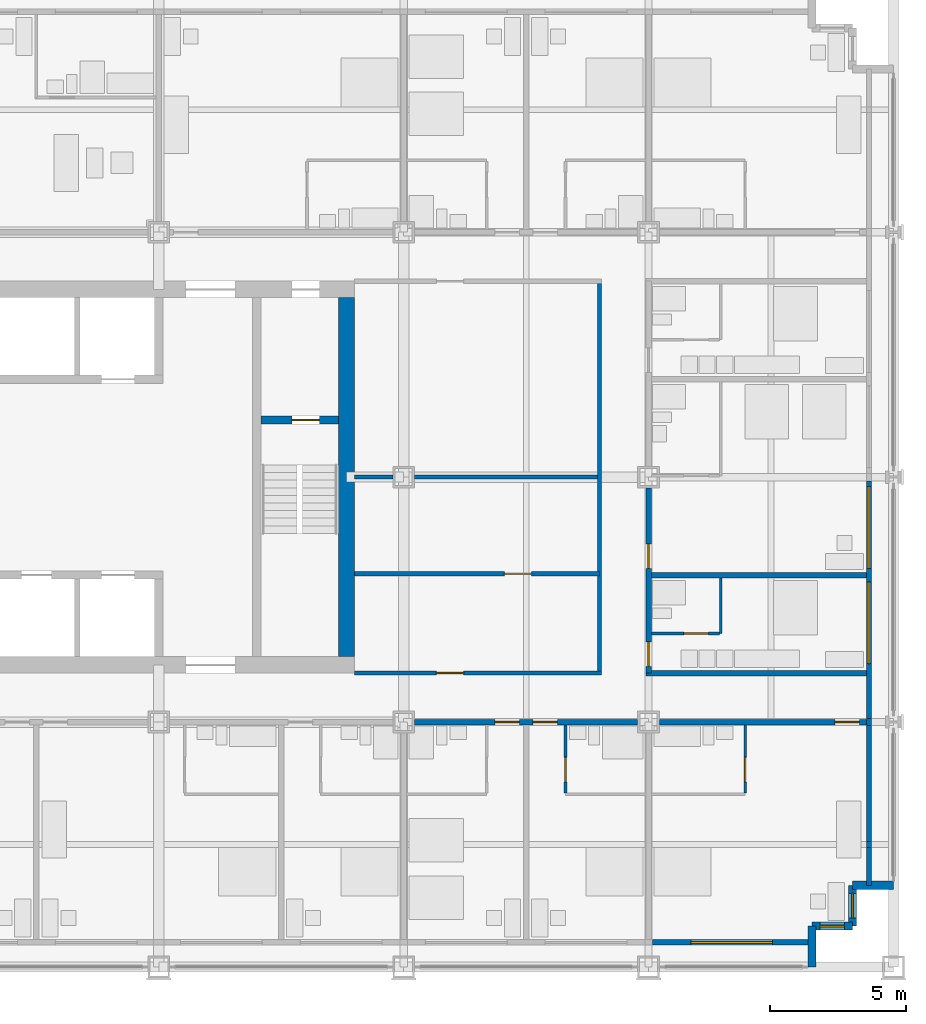
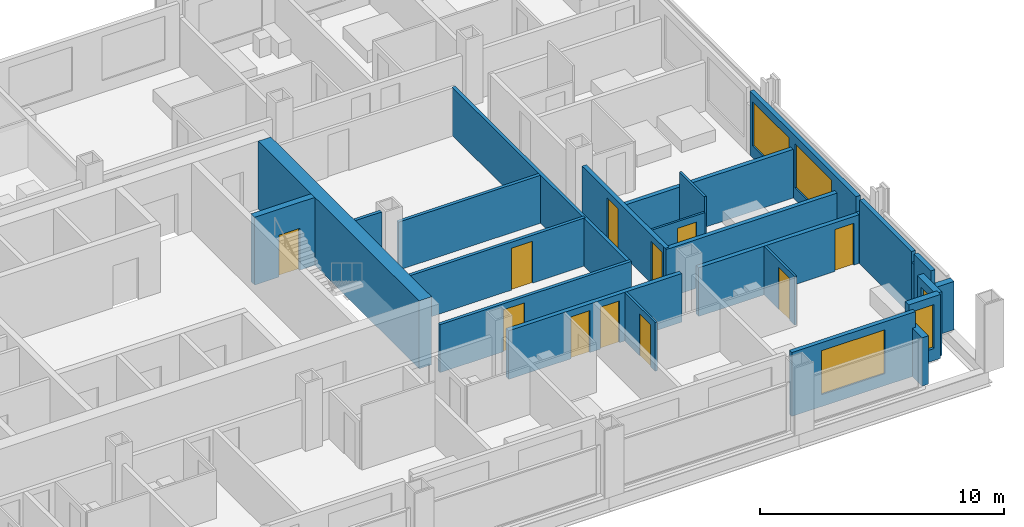
# One storey, part 13 of 18: 26 walls, 11 doors, 5 windows, 16 openings.
"""IFC4 building model written with IfcOpenShell, lengths in metres."""

from ifc_helpers import new_model, si_unit, direction, frame, frame_2d, origin, place, context, subcontext, project, spatial, rectangle, extrude, material, layer, layer_set, type_object, element, fill, save


model = new_model("IFC4")

# Units and contexts
model_context = context("Model", 3, precision=1e-05, world=origin(), true_north=direction((0.0, 1.0)))
body_context = subcontext(model_context, "Body", "Model", "MODEL_VIEW")
ifc_project = project(units=[si_unit("LENGTHUNIT", "METRE"), si_unit("AREAUNIT", "SQUARE_METRE"), si_unit("VOLUMEUNIT", "CUBIC_METRE"), si_unit("PLANEANGLEUNIT", "RADIAN"), si_unit("MASSUNIT", "GRAM", prefix="KILO")], contexts=[model_context])

# Site, building, storey
site_placement = place(None, origin())
site = spatial("IfcSite", under=ifc_project, at=site_placement, CompositionType="ELEMENT")
building_placement = place(site_placement, origin())
building = spatial("IfcBuilding", under=site, at=building_placement, Name="Loomwork Tower", CompositionType="ELEMENT")
storey_placement = place(building_placement, frame((0.0, 0.0, 82.39990234375)))
storey = spatial("IfcBuildingStorey", under=building, at=storey_placement, Name="L21", CompositionType="ELEMENT", Elevation=82.39990234375)

# Wall, opening, door
ifc_material_1 = material(Name="Concrete 14000 psi (97 MPa)", Category="concrete")
ifc_layer_1 = layer(ifc_material_1, 0.300048828125)
ifc_layer_set_1 = layer_set([ifc_layer_1], Name="Core shear wall 300")
wall_type_1 = type_object("IfcWallType", Name="Core shear wall 300", PredefinedType="SHEAR", material=ifc_layer_set_1)
wall_1_placement = place(storey_placement, frame((30.75, 20.10009765625, 0.0), z_axis=(0.0, 0.0, 1.0), x_axis=(1.0, 0.0, 0.0)))
wall_1 = element("IfcWall", 1, at=wall_1_placement, inside=storey, type_object=wall_type_1, Name="Stair B north wall L21", PredefinedType="SHEAR", context=body_context, shape_type="SweptSolid", body=[
    extrude(rectangle(XDim=2.85009765625, YDim=0.300048828125, at=frame_2d((1.425048828125, 0.0))), origin(), (0.0, 0.0, 1.0), 3.400146484375),
])
opening_1_placement = place(wall_1_placement, frame((1.14990234375, 0.0, 0.0)))
opening_1 = element("IfcOpeningElement", 2, at=opening_1_placement, cuts=wall_1, Name="Opening D4", PredefinedType="OPENING", context=body_context, shape_type="SweptSolid", body=[
    extrude(rectangle(XDim=1.0, YDim=2.10009765625, at=frame_2d((0.5, 1.050048828125))), frame((0.0, 0.159912109375, 0.0), z_axis=(0.0, -1.0, 0.0), x_axis=(1.0, 0.0, 0.0)), (0.0, 0.0, 1.0), 0.320068359375),
])
ifc_material_2 = material(Name="Hollow metal door and frame")
door_type_1 = type_object("IfcDoorType", Name="Stair door 1000", OperationType="SINGLE_SWING_RIGHT", PredefinedType="DOOR", material=ifc_material_2)
door_1_placement = place(opening_1_placement, frame((1.0, 0.0, 0.0), z_axis=(0.0, 0.0, 1.0), x_axis=(-1.0, 0.0, 0.0)))
door_1 = element("IfcDoor", 3, at=door_1_placement, inside=storey, type_object=door_type_1, Name="Stair B door", OperationType="SINGLE_SWING_LEFT", OverallHeight=2.10009765625, OverallWidth=1.0, PredefinedType="DOOR", context=body_context, shape_type="SweptSolid", body=[
    extrude(rectangle(XDim=1.0, YDim=2.10009765625, at=frame_2d((0.5, 1.050048828125))), frame((0.0, 0.02490234375, 0.0), z_axis=(0.0, -1.0, 0.0), x_axis=(1.0, 0.0, 0.0)), (0.0, 0.0, 1.0), 0.050048828125),
])
fill(opening_1, door_1)

# Wall
ifc_material_3 = material(Name="Concrete 14000 psi (97 MPa)", Category="concrete")
ifc_layer_2 = layer(ifc_material_3, 0.60009765625)
ifc_layer_set_2 = layer_set([ifc_layer_2], Name="Core shear wall 600")
wall_type_2 = type_object("IfcWallType", Name="Core shear wall 600", PredefinedType="SHEAR", material=ifc_layer_set_2)
wall_2_placement = place(storey_placement, frame((33.89990234375, 11.39990234375, 0.0), z_axis=(0.0, 0.0, 1.0), x_axis=(0.0, 1.0, 0.0)))
element("IfcWall", 4, at=wall_2_placement, inside=storey, type_object=wall_type_2, Name="Core wall east L21", PredefinedType="SHEAR", context=body_context, shape_type="SweptSolid", body=[
    extrude(rectangle(XDim=13.2001953125, YDim=0.60009765625, at=frame_2d((6.60009765625, 0.0))), origin(), (0.0, 0.0, 1.0), 3.400146484375),
])

# Wall, openings, doors
ifc_material_4 = material(Name="Gypsum board on steel studs, one-hour", Category="steel")
ifc_layer_3 = layer(ifc_material_4, 0.199951171875)
ifc_layer_set_3 = layer_set([ifc_layer_3], Name="Corridor wall 200")
wall_type_3 = type_object("IfcWallType", Name="Corridor wall 200", PredefinedType="PARTITIONING", material=ifc_layer_set_3)
wall_3_placement = place(storey_placement, frame((36.39990234375, 9.0, 0.0), z_axis=(0.0, 0.0, 1.0), x_axis=(1.0, 0.0, 0.0)))
wall_3 = element("IfcWall", 5, at=wall_3_placement, inside=storey, type_object=wall_type_3, Name="South corridor wall 5", PredefinedType="PARTITIONING", context=body_context, shape_type="SweptSolid", body=[
    extrude(rectangle(XDim=8.2001953125, YDim=0.199951171875, at=frame_2d((4.10009765625, 0.0))), origin(), (0.0, 0.0, 1.0), 2.43798828125),
])
opening_2_placement = place(wall_3_placement, frame((2.949951171875, 0.0, 0.0)))
opening_2 = element("IfcOpeningElement", 6, at=opening_2_placement, cuts=wall_3, Name="Opening D1", PredefinedType="OPENING", context=body_context, shape_type="SweptSolid", body=[
    extrude(rectangle(XDim=0.89990234375, YDim=2.10009765625, at=frame_2d((0.449951171875, 1.050048828125))), frame((0.0, 0.10986328125, 0.0), z_axis=(0.0, -1.0, 0.0), x_axis=(1.0, 0.0, 0.0)), (0.0, 0.0, 1.0), 0.219970703125),
])
opening_3_placement = place(wall_3_placement, frame((4.35009765625, 0.0, 0.0)))
opening_3 = element("IfcOpeningElement", 7, at=opening_3_placement, cuts=wall_3, Name="Opening D1", PredefinedType="OPENING", context=body_context, shape_type="SweptSolid", body=[
    extrude(rectangle(XDim=0.89990234375, YDim=2.10009765625, at=frame_2d((0.449951171875, 1.050048828125))), frame((0.0, 0.10986328125, 0.0), z_axis=(0.0, -1.0, 0.0), x_axis=(1.0, 0.0, 0.0)), (0.0, 0.0, 1.0), 0.219970703125),
])
ifc_material_5 = material(Name="Hollow metal door and frame")
door_type_2 = type_object("IfcDoorType", Name="Guest room entry door 900", OperationType="SINGLE_SWING_LEFT", PredefinedType="DOOR", material=ifc_material_5)
door_2_placement = place(opening_2_placement, frame((0.89990234375, 0.0, 0.0), z_axis=(0.0, 0.0, 1.0), x_axis=(-1.0, 0.0, 0.0)))
door_2 = element("IfcDoor", 8, at=door_2_placement, inside=storey, type_object=door_type_2, Name="Guest room entry door L21 7", OperationType="SINGLE_SWING_LEFT", OverallHeight=2.10009765625, OverallWidth=0.89990234375, PredefinedType="DOOR", context=body_context, shape_type="SweptSolid", body=[
    extrude(rectangle(XDim=0.89990234375, YDim=2.10009765625, at=frame_2d((0.449951171875, 1.050048828125))), frame((0.0, 0.02490234375, 0.0), z_axis=(0.0, -1.0, 0.0), x_axis=(1.0, 0.0, 0.0)), (0.0, 0.0, 1.0), 0.050048828125),
])
fill(opening_2, door_2)
door_3_placement = place(opening_3_placement, frame((0.89990234375, 0.0, 0.0), z_axis=(0.0, 0.0, 1.0), x_axis=(-1.0, 0.0, 0.0)))
door_3 = element("IfcDoor", 9, at=door_3_placement, inside=storey, type_object=door_type_2, Name="Guest room entry door L21 8", OperationType="SINGLE_SWING_RIGHT", OverallHeight=2.10009765625, OverallWidth=0.89990234375, PredefinedType="DOOR", context=body_context, shape_type="SweptSolid", body=[
    extrude(rectangle(XDim=0.89990234375, YDim=2.10009765625, at=frame_2d((0.449951171875, 1.050048828125))), frame((0.0, 0.02490234375, 0.0), z_axis=(0.0, -1.0, 0.0), x_axis=(1.0, 0.0, 0.0)), (0.0, 0.0, 1.0), 0.050048828125),
])
fill(opening_3, door_3)

# Wall, opening, door
wall_4_placement = place(storey_placement, frame((45.39990234375, 9.0, 0.0), z_axis=(0.0, 0.0, 1.0), x_axis=(1.0, 0.0, 0.0)))
wall_4 = element("IfcWall", 10, at=wall_4_placement, inside=storey, type_object=wall_type_3, Name="South corridor wall 6", PredefinedType="PARTITIONING", context=body_context, shape_type="SweptSolid", body=[
    extrude(rectangle(XDim=7.60009765625, YDim=0.199951171875, at=frame_2d((3.800048828125, 0.0))), origin(), (0.0, 0.0, 1.0), 2.43798828125),
])
opening_4_placement = place(wall_4_placement, frame((6.449951171875, 0.0, 0.0)))
opening_4 = element("IfcOpeningElement", 11, at=opening_4_placement, cuts=wall_4, Name="Opening D1", PredefinedType="OPENING", context=body_context, shape_type="SweptSolid", body=[
    extrude(rectangle(XDim=0.89990234375, YDim=2.10009765625, at=frame_2d((0.449951171875, 1.050048828125))), frame((0.0, 0.10986328125, 0.0), z_axis=(0.0, -1.0, 0.0), x_axis=(1.0, 0.0, 0.0)), (0.0, 0.0, 1.0), 0.219970703125),
])
door_4_placement = place(opening_4_placement, frame((0.89990234375, 0.0, 0.0), z_axis=(0.0, 0.0, 1.0), x_axis=(-1.0, 0.0, 0.0)))
door_4 = element("IfcDoor", 12, at=door_4_placement, inside=storey, type_object=door_type_2, Name="Guest room entry door L21 9", OperationType="SINGLE_SWING_LEFT", OverallHeight=2.10009765625, OverallWidth=0.89990234375, PredefinedType="DOOR", context=body_context, shape_type="SweptSolid", body=[
    extrude(rectangle(XDim=0.89990234375, YDim=2.10009765625, at=frame_2d((0.449951171875, 1.050048828125))), frame((0.0, 0.02490234375, 0.0), z_axis=(0.0, -1.0, 0.0), x_axis=(1.0, 0.0, 0.0)), (0.0, 0.0, 1.0), 0.050048828125),
])
fill(opening_4, door_4)

# Wall, openings, doors
wall_5_placement = place(storey_placement, frame((45.0, 10.800048828125, 0.0), z_axis=(0.0, 0.0, 1.0), x_axis=(0.0, 1.0, 0.0)))
wall_5 = element("IfcWall", 13, at=wall_5_placement, inside=storey, type_object=wall_type_3, Name="East corridor wall 1", PredefinedType="PARTITIONING", context=body_context, shape_type="SweptSolid", body=[
    extrude(rectangle(XDim=6.800048828125, YDim=0.199951171875, at=frame_2d((3.39990234375, 0.0))), origin(), (0.0, 0.0, 1.0), 2.43798828125),
])
opening_5_placement = place(wall_5_placement, frame((0.25, 0.0, 0.0)))
opening_5 = element("IfcOpeningElement", 14, at=opening_5_placement, cuts=wall_5, Name="Opening D1", PredefinedType="OPENING", context=body_context, shape_type="SweptSolid", body=[
    extrude(rectangle(XDim=0.89990234375, YDim=2.10009765625, at=frame_2d((0.449951171875, 1.050048828125))), frame((0.0, 0.10986328125, 0.0), z_axis=(0.0, -1.0, 0.0), x_axis=(1.0, 0.0, 0.0)), (0.0, 0.0, 1.0), 0.219970703125),
])
opening_6_placement = place(wall_5_placement, frame((3.85009765625, 0.0, 0.0)))
opening_6 = element("IfcOpeningElement", 15, at=opening_6_placement, cuts=wall_5, Name="Opening D1", PredefinedType="OPENING", context=body_context, shape_type="SweptSolid", body=[
    extrude(rectangle(XDim=0.89990234375, YDim=2.10009765625, at=frame_2d((0.449951171875, 1.050048828125))), frame((0.0, 0.10986328125, 0.0), z_axis=(0.0, -1.0, 0.0), x_axis=(1.0, 0.0, 0.0)), (0.0, 0.0, 1.0), 0.219970703125),
])
door_5_placement = place(opening_5_placement, frame((0.89990234375, 0.0, 0.0), z_axis=(0.0, 0.0, 1.0), x_axis=(-1.0, 0.0, 0.0)))
door_5 = element("IfcDoor", 16, at=door_5_placement, inside=storey, type_object=door_type_2, Name="Guest room entry door L21 21", OperationType="SINGLE_SWING_RIGHT", OverallHeight=2.10009765625, OverallWidth=0.89990234375, PredefinedType="DOOR", context=body_context, shape_type="SweptSolid", body=[
    extrude(rectangle(XDim=0.89990234375, YDim=2.10009765625, at=frame_2d((0.449951171875, 1.050048828125))), frame((0.0, 0.02490234375, 0.0), z_axis=(0.0, -1.0, 0.0), x_axis=(1.0, 0.0, 0.0)), (0.0, 0.0, 1.0), 0.050048828125),
])
fill(opening_5, door_5)
door_6_placement = place(opening_6_placement, frame((0.89990234375, 0.0, 0.0), z_axis=(0.0, 0.0, 1.0), x_axis=(-1.0, 0.0, 0.0)))
door_6 = element("IfcDoor", 17, at=door_6_placement, inside=storey, type_object=door_type_2, Name="Guest room entry door L21 22", OperationType="SINGLE_SWING_RIGHT", OverallHeight=2.10009765625, OverallWidth=0.89990234375, PredefinedType="DOOR", context=body_context, shape_type="SweptSolid", body=[
    extrude(rectangle(XDim=0.89990234375, YDim=2.10009765625, at=frame_2d((0.449951171875, 1.050048828125))), frame((0.0, 0.02490234375, 0.0), z_axis=(0.0, -1.0, 0.0), x_axis=(1.0, 0.0, 0.0)), (0.0, 0.0, 1.0), 0.050048828125),
])
fill(opening_6, door_6)

# Wall
wall_6_placement = place(storey_placement, frame((44.89990234375, 10.800048828125, 0.0), z_axis=(0.0, 0.0, 1.0), x_axis=(1.0, 0.0, 0.0)))
element("IfcWall", 18, at=wall_6_placement, inside=storey, type_object=wall_type_3, Name="East band end wall S", PredefinedType="PARTITIONING", context=body_context, shape_type="SweptSolid", body=[
    extrude(rectangle(XDim=8.10009765625, YDim=0.199951171875, at=frame_2d((4.050048828125, 0.0))), origin(), (0.0, 0.0, 1.0), 2.43798828125),
])

# Wall, opening, door
ifc_material_6 = material(Name="Cement board on steel studs", Category="steel")
ifc_layer_4 = layer(ifc_material_6, 0.10009765625)
ifc_layer_set_4 = layer_set([ifc_layer_4], Name="En-suite partition 100")
wall_type_4 = type_object("IfcWallType", Name="En-suite partition 100", PredefinedType="PARTITIONING", material=ifc_layer_set_4)
wall_7_placement = place(storey_placement, frame((41.949951171875, 8.89990234375, 0.0), z_axis=(0.0, 0.0, 1.0), x_axis=(0.0, -1.0, 0.0)))
wall_7 = element("IfcWall", 19, at=wall_7_placement, inside=storey, type_object=wall_type_4, Name="En-suite side wall L21 room 8", PredefinedType="PARTITIONING", context=body_context, shape_type="SweptSolid", body=[
    extrude(rectangle(XDim=2.5, YDim=0.10009765625, at=frame_2d((1.25, 0.0))), origin(), (0.0, 0.0, 1.0), 2.43798828125),
])
opening_7_placement = place(wall_7_placement, frame((1.199951171875, 0.0, 0.0)))
opening_7 = element("IfcOpeningElement", 20, at=opening_7_placement, cuts=wall_7, Name="Opening D3", PredefinedType="OPENING", context=body_context, shape_type="SweptSolid", body=[
    extrude(rectangle(XDim=0.89990234375, YDim=2.10009765625, at=frame_2d((0.449951171875, 1.050048828125))), frame((0.0, 0.06005859375, 0.0), z_axis=(0.0, -1.0, 0.0), x_axis=(1.0, 0.0, 0.0)), (0.0, 0.0, 1.0), 0.1201171875),
])
ifc_material_7 = material(Name="Hollow metal door and frame")
door_type_3 = type_object("IfcDoorType", Name="Accessible en-suite door 900", OperationType="SLIDING_TO_LEFT", PredefinedType="DOOR", material=ifc_material_7)
door_7_placement = place(opening_7_placement, origin())
door_7 = element("IfcDoor", 21, at=door_7_placement, inside=storey, type_object=door_type_3, Name="Accessible en-suite door room 8", OperationType="SLIDING_TO_LEFT", OverallHeight=2.10009765625, OverallWidth=0.89990234375, PredefinedType="DOOR", context=body_context, shape_type="SweptSolid", body=[
    extrude(rectangle(XDim=0.89990234375, YDim=2.10009765625, at=frame_2d((0.449951171875, 1.050048828125))), frame((0.0, 0.02490234375, 0.0), z_axis=(0.0, -1.0, 0.0), x_axis=(1.0, 0.0, 0.0)), (0.0, 0.0, 1.0), 0.050048828125),
])
fill(opening_7, door_7)

wall_8_placement = place(storey_placement, frame((48.550048828125, 8.89990234375, 0.0), z_axis=(0.0, 0.0, 1.0), x_axis=(0.0, -1.0, 0.0)))
wall_8 = element("IfcWall", 22, at=wall_8_placement, inside=storey, type_object=wall_type_4, Name="En-suite side wall L21 room 9", PredefinedType="PARTITIONING", context=body_context, shape_type="SweptSolid", body=[
    extrude(rectangle(XDim=2.5, YDim=0.10009765625, at=frame_2d((1.25, 0.0))), origin(), (0.0, 0.0, 1.0), 2.43798828125),
])
opening_8_placement = place(wall_8_placement, frame((1.199951171875, 0.0, 0.0)))
opening_8 = element("IfcOpeningElement", 23, at=opening_8_placement, cuts=wall_8, Name="Opening D2", PredefinedType="OPENING", context=body_context, shape_type="SweptSolid", body=[
    extrude(rectangle(XDim=0.89990234375, YDim=2.10009765625, at=frame_2d((0.449951171875, 1.050048828125))), frame((0.0, 0.06005859375, 0.0), z_axis=(0.0, -1.0, 0.0), x_axis=(1.0, 0.0, 0.0)), (0.0, 0.0, 1.0), 0.1201171875),
])
ifc_material_8 = material(Name="Hollow metal door and frame")
door_type_4 = type_object("IfcDoorType", Name="En-suite door 900", OperationType="SINGLE_SWING_LEFT", PredefinedType="DOOR", material=ifc_material_8)
door_8_placement = place(opening_8_placement, frame((0.89990234375, 0.0, 0.0), z_axis=(0.0, 0.0, 1.0), x_axis=(-1.0, 0.0, 0.0)))
door_8 = element("IfcDoor", 24, at=door_8_placement, inside=storey, type_object=door_type_4, Name="En-suite door room 9", OperationType="SINGLE_SWING_LEFT", OverallHeight=2.10009765625, OverallWidth=0.89990234375, PredefinedType="DOOR", context=body_context, shape_type="SweptSolid", body=[
    extrude(rectangle(XDim=0.89990234375, YDim=2.10009765625, at=frame_2d((0.449951171875, 1.050048828125))), frame((0.0, 0.02490234375, 0.0), z_axis=(0.0, -1.0, 0.0), x_axis=(1.0, 0.0, 0.0)), (0.0, 0.0, 1.0), 0.050048828125),
])
fill(opening_8, door_8)

# Wall
wall_9_placement = place(storey_placement, frame((47.64990234375, 12.25, 0.0), z_axis=(0.0, 0.0, 1.0), x_axis=(0.0, 1.0, 0.0)))
element("IfcWall", 25, at=wall_9_placement, inside=storey, type_object=wall_type_4, Name="En-suite wall L21 room 21", PredefinedType="PARTITIONING", context=body_context, shape_type="SweptSolid", body=[
    extrude(rectangle(XDim=2.050048828125, YDim=0.10009765625, at=frame_2d((1.02490234375, 0.0))), origin(), (0.0, 0.0, 1.0), 3.2001953125),
])

# Wall, opening, door
wall_10_placement = place(storey_placement, frame((45.10009765625, 12.25, 0.0), z_axis=(0.0, 0.0, 1.0), x_axis=(1.0, 0.0, 0.0)))
wall_10 = element("IfcWall", 26, at=wall_10_placement, inside=storey, type_object=wall_type_4, Name="En-suite side wall L21 room 21", PredefinedType="PARTITIONING", context=body_context, shape_type="SweptSolid", body=[
    extrude(rectangle(XDim=2.5, YDim=0.10009765625, at=frame_2d((1.25, 0.0))), origin(), (0.0, 0.0, 1.0), 2.43798828125),
])
opening_9_placement = place(wall_10_placement, frame((1.199951171875, 0.0, 0.0)))
opening_9 = element("IfcOpeningElement", 27, at=opening_9_placement, cuts=wall_10, Name="Opening D2", PredefinedType="OPENING", context=body_context, shape_type="SweptSolid", body=[
    extrude(rectangle(XDim=0.89990234375, YDim=2.10009765625, at=frame_2d((0.449951171875, 1.050048828125))), frame((0.0, 0.06005859375, 0.0), z_axis=(0.0, -1.0, 0.0), x_axis=(1.0, 0.0, 0.0)), (0.0, 0.0, 1.0), 0.1201171875),
])
door_9_placement = place(opening_9_placement, origin())
door_9 = element("IfcDoor", 28, at=door_9_placement, inside=storey, type_object=door_type_4, Name="En-suite door room 21", OperationType="SINGLE_SWING_RIGHT", OverallHeight=2.10009765625, OverallWidth=0.89990234375, PredefinedType="DOOR", context=body_context, shape_type="SweptSolid", body=[
    extrude(rectangle(XDim=0.89990234375, YDim=2.10009765625, at=frame_2d((0.449951171875, 1.050048828125))), frame((0.0, 0.02490234375, 0.0), z_axis=(0.0, -1.0, 0.0), x_axis=(1.0, 0.0, 0.0)), (0.0, 0.0, 1.0), 0.050048828125),
])
fill(opening_9, door_9)

# Walls
ifc_material_9 = material(Name="Gypsum board on steel studs, acoustic", Category="steel")
ifc_layer_5 = layer(ifc_material_9, 0.199951171875)
ifc_layer_set_5 = layer_set([ifc_layer_5], Name="Guest room party wall 200")
wall_type_5 = type_object("IfcWallType", Name="Guest room party wall 200", PredefinedType="PARTITIONING", material=ifc_layer_set_5)
wall_11_placement = place(storey_placement, frame((45.10009765625, 14.39990234375, 0.0), z_axis=(0.0, 0.0, 1.0), x_axis=(1.0, 0.0, 0.0)))
element("IfcWall", 29, at=wall_11_placement, inside=storey, type_object=wall_type_5, Name="Guest room party wall E 14.4", PredefinedType="PARTITIONING", context=body_context, shape_type="SweptSolid", body=[
    extrude(rectangle(XDim=7.89990234375, YDim=0.199951171875, at=frame_2d((3.949951171875, 0.0))), origin(), (0.0, 0.0, 1.0), 2.43798828125),
])
ifc_material_10 = material(Name="Insulated steel stud wall with gypsum lining", Category="steel")
ifc_layer_6 = layer(ifc_material_10, 0.199951171875)
ifc_layer_set_6 = layer_set([ifc_layer_6], Name="Inner skin wall 200")
wall_type_6 = type_object("IfcWallType", Name="Inner skin wall 200", PredefinedType="SOLIDWALL", material=ifc_layer_set_6)
wall_12_placement = place(storey_placement, frame((53.10009765625, 3.0, 0.0), z_axis=(0.0, 0.0, 1.0), x_axis=(0.0, 1.0, 0.0)))
element("IfcWall", 30, at=wall_12_placement, inside=storey, type_object=wall_type_6, Name="Inner skin wall E", PredefinedType="SOLIDWALL", context=body_context, shape_type="SweptSolid", body=[
    extrude(rectangle(XDim=1.392578125, YDim=0.199951171875, at=frame_2d((0.6962890625, 0.0))), origin(), (0.0, 0.0, 1.0), 3.2001953125),
])

# Wall, opening, window
wall_13_placement = place(storey_placement, frame((45.135498046875, 0.89990234375, 0.0), z_axis=(0.0, 0.0, 1.0), x_axis=(1.0, 0.0, 0.0)))
wall_13 = element("IfcWall", 31, at=wall_13_placement, inside=storey, type_object=wall_type_6, Name="Inner skin wall S bay 11", PredefinedType="SOLIDWALL", context=body_context, shape_type="SweptSolid", body=[
    extrude(rectangle(XDim=5.864501953125, YDim=0.199951171875, at=frame_2d((2.93212890625, 0.0))), origin(), (0.0, 0.0, 1.0), 3.2001953125),
])
opening_10_placement = place(wall_13_placement, frame((1.41455078125, 0.0, 0.60009765625)))
opening_10 = element("IfcOpeningElement", 32, at=opening_10_placement, cuts=wall_13, Name="Opening CH1", PredefinedType="OPENING", context=body_context, shape_type="SweptSolid", body=[
    extrude(rectangle(XDim=3.0, YDim=2.199951171875, at=frame_2d((1.5, 1.10009765625))), frame((0.0, 0.10986328125, 0.0), z_axis=(0.0, -1.0, 0.0), x_axis=(1.0, 0.0, 0.0)), (0.0, 0.0, 1.0), 0.219970703125),
])
ifc_material_11 = material(Name="Aluminium frame with clear insulated glass", Category="aluminium")
window_type_1 = type_object("IfcWindowType", Name="Chicago window 3000", PartitioningType="TRIPLE_PANEL_VERTICAL", PredefinedType="WINDOW", material=ifc_material_11)
window_1_placement = place(opening_10_placement, origin())
window_1 = element("IfcWindow", 33, at=window_1_placement, inside=storey, type_object=window_type_1, Name="Chicago window L21 bay 6", OverallHeight=2.199951171875, OverallWidth=3.0, PartitioningType="TRIPLE_PANEL_VERTICAL", PredefinedType="WINDOW", context=body_context, shape_type="SweptSolid", body=[
    extrude(rectangle(XDim=3.0, YDim=2.199951171875, at=frame_2d((1.5, 1.10009765625))), frame((0.0, 0.030029296875, 0.0), z_axis=(0.0, -1.0, 0.0), x_axis=(1.0, 0.0, 0.0)), (0.0, 0.0, 1.0), 0.06005859375),
])
fill(opening_10, window_1)

# Walls
wall_14_placement = place(storey_placement, frame((53.10009765625, 4.392578125, 0.0), z_axis=(0.0, 0.0, 1.0), x_axis=(0.0, 1.0, 0.0)))
element("IfcWall", 34, at=wall_14_placement, inside=storey, type_object=wall_type_6, Name="Inner skin wall E bay 2", PredefinedType="SOLIDWALL", context=body_context, shape_type="SweptSolid", body=[
    extrude(rectangle(XDim=0.21484375, YDim=0.199951171875, at=frame_2d((0.107421875, 0.0))), origin(), (0.0, 0.0, 1.0), 2.6611328125),
])
wall_15_placement = place(storey_placement, frame((53.10009765625, 4.607421875, 0.0), z_axis=(0.0, 0.0, 1.0), x_axis=(0.0, 1.0, 0.0)))
element("IfcWall", 35, at=wall_15_placement, inside=storey, type_object=wall_type_6, Name="Inner skin wall E bay 3", PredefinedType="SOLIDWALL", context=body_context, shape_type="SweptSolid", body=[
    extrude(rectangle(XDim=4.25732421875, YDim=0.199951171875, at=frame_2d((2.128662109375, 0.0))), origin(), (0.0, 0.0, 1.0), 3.2001953125),
])
wall_16_placement = place(storey_placement, frame((53.10009765625, 8.86474609375, 0.0), z_axis=(0.0, 0.0, 1.0), x_axis=(0.0, 1.0, 0.0)))
element("IfcWall", 36, at=wall_16_placement, inside=storey, type_object=wall_type_6, Name="Inner skin wall E bay 4", PredefinedType="SOLIDWALL", context=body_context, shape_type="SweptSolid", body=[
    extrude(rectangle(XDim=0.2705078125, YDim=0.199951171875, at=frame_2d((0.13525390625, 0.0))), origin(), (0.0, 0.0, 1.0), 2.43798828125),
])

# Wall, openings, windows
wall_17_placement = place(storey_placement, frame((53.10009765625, 9.13525390625, 0.0), z_axis=(0.0, 0.0, 1.0), x_axis=(0.0, 1.0, 0.0)))
wall_17 = element("IfcWall", 37, at=wall_17_placement, inside=storey, type_object=wall_type_6, Name="Inner skin wall E bay 5", PredefinedType="SOLIDWALL", context=body_context, shape_type="SweptSolid", body=[
    extrude(rectangle(XDim=8.729248046875, YDim=0.199951171875, at=frame_2d((4.36474609375, 0.0))), origin(), (0.0, 0.0, 1.0), 3.2001953125),
])
opening_11_placement = place(wall_17_placement, frame((2.0146484375, 0.0, 0.60009765625)))
opening_11 = element("IfcOpeningElement", 38, at=opening_11_placement, cuts=wall_17, Name="Opening CH1", PredefinedType="OPENING", context=body_context, shape_type="SweptSolid", body=[
    extrude(rectangle(XDim=3.0, YDim=2.199951171875, at=frame_2d((1.5, 1.10009765625))), frame((0.0, 0.10986328125, 0.0), z_axis=(0.0, -1.0, 0.0), x_axis=(1.0, 0.0, 0.0)), (0.0, 0.0, 1.0), 0.219970703125),
])
opening_12_placement = place(wall_17_placement, frame((5.5146484375, 0.0, 0.60009765625)))
opening_12 = element("IfcOpeningElement", 39, at=opening_12_placement, cuts=wall_17, Name="Opening CH1", PredefinedType="OPENING", context=body_context, shape_type="SweptSolid", body=[
    extrude(rectangle(XDim=3.0, YDim=2.199951171875, at=frame_2d((1.5, 1.10009765625))), frame((0.0, 0.10986328125, 0.0), z_axis=(0.0, -1.0, 0.0), x_axis=(1.0, 0.0, 0.0)), (0.0, 0.0, 1.0), 0.219970703125),
])
window_2_placement = place(opening_11_placement, origin())
window_2 = element("IfcWindow", 40, at=window_2_placement, inside=storey, type_object=window_type_1, Name="Chicago window L21 bay 15", OverallHeight=2.199951171875, OverallWidth=3.0, PartitioningType="TRIPLE_PANEL_VERTICAL", PredefinedType="WINDOW", context=body_context, shape_type="SweptSolid", body=[
    extrude(rectangle(XDim=3.0, YDim=2.199951171875, at=frame_2d((1.5, 1.10009765625))), frame((0.0, 0.030029296875, 0.0), z_axis=(0.0, -1.0, 0.0), x_axis=(1.0, 0.0, 0.0)), (0.0, 0.0, 1.0), 0.06005859375),
])
fill(opening_11, window_2)
window_3_placement = place(opening_12_placement, origin())
window_3 = element("IfcWindow", 41, at=window_3_placement, inside=storey, type_object=window_type_1, Name="Chicago window L21 bay 15", OverallHeight=2.199951171875, OverallWidth=3.0, PartitioningType="TRIPLE_PANEL_VERTICAL", PredefinedType="WINDOW", context=body_context, shape_type="SweptSolid", body=[
    extrude(rectangle(XDim=3.0, YDim=2.199951171875, at=frame_2d((1.5, 1.10009765625))), frame((0.0, 0.030029296875, 0.0), z_axis=(0.0, -1.0, 0.0), x_axis=(1.0, 0.0, 0.0)), (0.0, 0.0, 1.0), 0.06005859375),
])
fill(opening_12, window_3)

# Wall
ifc_material_12 = material(Name="Limestone on concrete masonry", Category="masonry")
ifc_layer_7 = layer(ifc_material_12, 0.300048828125)
ifc_layer_set_7 = layer_set([ifc_layer_7], Name="Limestone corner wall 300")
wall_type_7 = type_object("IfcWallType", Name="Limestone corner wall 300", PredefinedType="SOLIDWALL", material=ifc_layer_set_7)
wall_18_placement = place(storey_placement, frame((51.0, 0.0, 0.0), z_axis=(0.0, 0.0, 1.0), x_axis=(0.0, 1.0, 0.0)))
element("IfcWall", 42, at=wall_18_placement, inside=storey, type_object=wall_type_7, Name="Stone corner wall SE 1", PredefinedType="SOLIDWALL", context=body_context, shape_type="SweptSolid", body=[
    extrude(rectangle(XDim=1.5, YDim=0.300048828125, at=frame_2d((0.75, 0.0))), origin(), (0.0, 0.0, 1.0), 2.420166015625),
])

# Wall, opening, window
wall_19_placement = place(storey_placement, frame((51.0, 1.5, 0.0), z_axis=(0.0, 0.0, 1.0), x_axis=(1.0, 0.0, 0.0)))
wall_19 = element("IfcWall", 43, at=wall_19_placement, inside=storey, type_object=wall_type_7, Name="Stone corner wall SE 2", PredefinedType="SOLIDWALL", context=body_context, shape_type="SweptSolid", body=[
    extrude(rectangle(XDim=1.5, YDim=0.300048828125, at=frame_2d((0.75, 0.0))), origin(), (0.0, 0.0, 1.0), 3.2001953125),
])
opening_13_placement = place(wall_19_placement, frame((0.300048828125, 0.0, 0.60009765625)))
opening_13 = element("IfcOpeningElement", 44, at=opening_13_placement, cuts=wall_19, Name="Opening CH2", PredefinedType="OPENING", context=body_context, shape_type="SweptSolid", body=[
    extrude(rectangle(XDim=0.89990234375, YDim=2.199951171875, at=frame_2d((0.449951171875, 1.10009765625))), frame((0.0, 0.159912109375, 0.0), z_axis=(0.0, -1.0, 0.0), x_axis=(1.0, 0.0, 0.0)), (0.0, 0.0, 1.0), 0.320068359375),
])
ifc_material_13 = material(Name="Aluminium frame with clear insulated glass", Category="aluminium")
window_type_2 = type_object("IfcWindowType", Name="Corner window 900", PartitioningType="SINGLE_PANEL", PredefinedType="WINDOW", material=ifc_material_13)
window_4_placement = place(opening_13_placement, origin())
window_4 = element("IfcWindow", 45, at=window_4_placement, inside=storey, type_object=window_type_2, Name="Corner window SE", OverallHeight=2.199951171875, OverallWidth=0.89990234375, PartitioningType="SINGLE_PANEL", PredefinedType="WINDOW", context=body_context, shape_type="SweptSolid", body=[
    extrude(rectangle(XDim=0.89990234375, YDim=2.199951171875, at=frame_2d((0.449951171875, 1.10009765625))), frame((0.0, 0.030029296875, 0.0), z_axis=(0.0, -1.0, 0.0), x_axis=(1.0, 0.0, 0.0)), (0.0, 0.0, 1.0), 0.06005859375),
])
fill(opening_13, window_4)

wall_20_placement = place(storey_placement, frame((52.5, 1.5, 0.0), z_axis=(0.0, 0.0, 1.0), x_axis=(0.0, 1.0, 0.0)))
wall_20 = element("IfcWall", 46, at=wall_20_placement, inside=storey, type_object=wall_type_7, Name="Stone corner wall SE 3", PredefinedType="SOLIDWALL", context=body_context, shape_type="SweptSolid", body=[
    extrude(rectangle(XDim=1.5, YDim=0.300048828125, at=frame_2d((0.75, 0.0))), origin(), (0.0, 0.0, 1.0), 3.2001953125),
])
opening_14_placement = place(wall_20_placement, frame((0.300048828125, 0.0, 0.60009765625)))
opening_14 = element("IfcOpeningElement", 47, at=opening_14_placement, cuts=wall_20, Name="Opening CH2", PredefinedType="OPENING", context=body_context, shape_type="SweptSolid", body=[
    extrude(rectangle(XDim=0.89990234375, YDim=2.199951171875, at=frame_2d((0.449951171875, 1.10009765625))), frame((0.0, 0.159912109375, 0.0), z_axis=(0.0, -1.0, 0.0), x_axis=(1.0, 0.0, 0.0)), (0.0, 0.0, 1.0), 0.320068359375),
])
window_5_placement = place(opening_14_placement, origin())
window_5 = element("IfcWindow", 48, at=window_5_placement, inside=storey, type_object=window_type_2, Name="Corner window SE", OverallHeight=2.199951171875, OverallWidth=0.89990234375, PartitioningType="SINGLE_PANEL", PredefinedType="WINDOW", context=body_context, shape_type="SweptSolid", body=[
    extrude(rectangle(XDim=0.89990234375, YDim=2.199951171875, at=frame_2d((0.449951171875, 1.10009765625))), frame((0.0, 0.030029296875, 0.0), z_axis=(0.0, -1.0, 0.0), x_axis=(1.0, 0.0, 0.0)), (0.0, 0.0, 1.0), 0.06005859375),
])
fill(opening_14, window_5)

# Wall
wall_21_placement = place(storey_placement, frame((52.5, 3.0, 0.0), z_axis=(0.0, 0.0, 1.0), x_axis=(1.0, 0.0, 0.0)))
element("IfcWall", 49, at=wall_21_placement, inside=storey, type_object=wall_type_7, Name="Stone corner wall SE 4", PredefinedType="SOLIDWALL", context=body_context, shape_type="SweptSolid", body=[
    extrude(rectangle(XDim=1.5, YDim=0.300048828125, at=frame_2d((0.75, 0.0))), origin(), (0.0, 0.0, 1.0), 2.420166015625),
])

# Wall, opening, door
ifc_material_14 = material(Name="Gypsum board on steel studs, one-hour", Category="steel")
ifc_layer_8 = layer(ifc_material_14, 0.14990234375)
ifc_layer_set_8 = layer_set([ifc_layer_8], Name="Service partition 150")
wall_type_8 = type_object("IfcWallType", Name="Service partition 150", PredefinedType="PARTITIONING", material=ifc_layer_set_8)
wall_22_placement = place(storey_placement, frame((34.199951171875, 10.800048828125, 0.0), z_axis=(0.0, 0.0, 1.0), x_axis=(1.0, 0.0, 0.0)))
wall_22 = element("IfcWall", 50, at=wall_22_placement, inside=storey, type_object=wall_type_8, Name="Service block wall S", PredefinedType="PARTITIONING", context=body_context, shape_type="SweptSolid", body=[
    extrude(rectangle(XDim=9.074951171875, YDim=0.14990234375, at=frame_2d((4.53759765625, 0.0))), origin(), (0.0, 0.0, 1.0), 2.404052734375),
])
opening_15_placement = place(wall_22_placement, frame((3.0, 0.0, 0.0)))
opening_15 = element("IfcOpeningElement", 51, at=opening_15_placement, cuts=wall_22, Name="Opening D5", PredefinedType="OPENING", context=body_context, shape_type="SweptSolid", body=[
    extrude(rectangle(XDim=1.0, YDim=2.10009765625, at=frame_2d((0.5, 1.050048828125))), frame((0.0, 0.0849609375, 0.0), z_axis=(0.0, -1.0, 0.0), x_axis=(1.0, 0.0, 0.0)), (0.0, 0.0, 1.0), 0.169921875),
])
ifc_material_15 = material(Name="Hollow metal door and frame")
door_type_5 = type_object("IfcDoorType", Name="Service door 1000", OperationType="SINGLE_SWING_LEFT", PredefinedType="DOOR", material=ifc_material_15)
door_10_placement = place(opening_15_placement, origin())
door_10 = element("IfcDoor", 52, at=door_10_placement, inside=storey, type_object=door_type_5, Name="Housekeeping store door", OperationType="SINGLE_SWING_RIGHT", OverallHeight=2.10009765625, OverallWidth=1.0, PredefinedType="DOOR", context=body_context, shape_type="SweptSolid", body=[
    extrude(rectangle(XDim=1.0, YDim=2.10009765625, at=frame_2d((0.5, 1.050048828125))), frame((0.0, 0.02490234375, 0.0), z_axis=(0.0, -1.0, 0.0), x_axis=(1.0, 0.0, 0.0)), (0.0, 0.0, 1.0), 0.050048828125),
])
fill(opening_15, door_10)

# Walls
wall_23_placement = place(storey_placement, frame((43.199951171875, 10.800048828125, 0.0), z_axis=(0.0, 0.0, 1.0), x_axis=(0.0, 1.0, 0.0)))
element("IfcWall", 53, at=wall_23_placement, inside=storey, type_object=wall_type_8, Name="Service block east wall", PredefinedType="PARTITIONING", context=body_context, shape_type="SweptSolid", body=[
    extrude(rectangle(XDim=14.39990234375, YDim=0.14990234375, at=frame_2d((7.199951171875, 0.0))), origin(), (0.0, 0.0, 1.0), 2.404052734375),
])
wall_24_placement = place(storey_placement, frame((34.199951171875, 18.0, 0.0), z_axis=(0.0, 0.0, 1.0), x_axis=(1.0, 0.0, 0.0)))
element("IfcWall", 54, at=wall_24_placement, inside=storey, type_object=wall_type_8, Name="Service block divider", PredefinedType="PARTITIONING", context=body_context, shape_type="SweptSolid", body=[
    extrude(rectangle(XDim=1.400146484375, YDim=0.14990234375, at=frame_2d((0.7001953125, 0.0))), origin(), (0.0, 0.0, 1.0), 3.2001953125),
])
wall_25_placement = place(storey_placement, frame((36.39990234375, 18.0, 0.0), z_axis=(0.0, 0.0, 1.0), x_axis=(1.0, 0.0, 0.0)))
element("IfcWall", 55, at=wall_25_placement, inside=storey, type_object=wall_type_8, Name="Service block divider", PredefinedType="PARTITIONING", context=body_context, shape_type="SweptSolid", body=[
    extrude(rectangle(XDim=6.72509765625, YDim=0.14990234375, at=frame_2d((3.362548828125, 0.0))), origin(), (0.0, 0.0, 1.0), 2.405029296875),
])

# Wall, opening, door
wall_26_placement = place(storey_placement, frame((34.199951171875, 14.449951171875, 0.0), z_axis=(0.0, 0.0, 1.0), x_axis=(1.0, 0.0, 0.0)))
wall_26 = element("IfcWall", 56, at=wall_26_placement, inside=storey, type_object=wall_type_8, Name="Housekeeping partition L21", PredefinedType="PARTITIONING", context=body_context, shape_type="SweptSolid", body=[
    extrude(rectangle(XDim=9.0, YDim=0.14990234375, at=frame_2d((4.5, 0.0))), origin(), (0.0, 0.0, 1.0), 2.404052734375),
])
opening_16_placement = place(wall_26_placement, frame((5.5, 0.0, 0.0)))
opening_16 = element("IfcOpeningElement", 57, at=opening_16_placement, cuts=wall_26, Name="Opening D5", PredefinedType="OPENING", context=body_context, shape_type="SweptSolid", body=[
    extrude(rectangle(XDim=1.0, YDim=2.10009765625, at=frame_2d((0.5, 1.050048828125))), frame((0.0, 0.0849609375, 0.0), z_axis=(0.0, -1.0, 0.0), x_axis=(1.0, 0.0, 0.0)), (0.0, 0.0, 1.0), 0.169921875),
])
door_11_placement = place(opening_16_placement, origin())
door_11 = element("IfcDoor", 58, at=door_11_placement, inside=storey, type_object=door_type_5, Name="Guest laundry door", OperationType="SINGLE_SWING_RIGHT", OverallHeight=2.10009765625, OverallWidth=1.0, PredefinedType="DOOR", context=body_context, shape_type="SweptSolid", body=[
    extrude(rectangle(XDim=1.0, YDim=2.10009765625, at=frame_2d((0.5, 1.050048828125))), frame((0.0, 0.02490234375, 0.0), z_axis=(0.0, -1.0, 0.0), x_axis=(1.0, 0.0, 0.0)), (0.0, 0.0, 1.0), 0.050048828125),
])
fill(opening_16, door_11)

save(model, "model.ifc")
